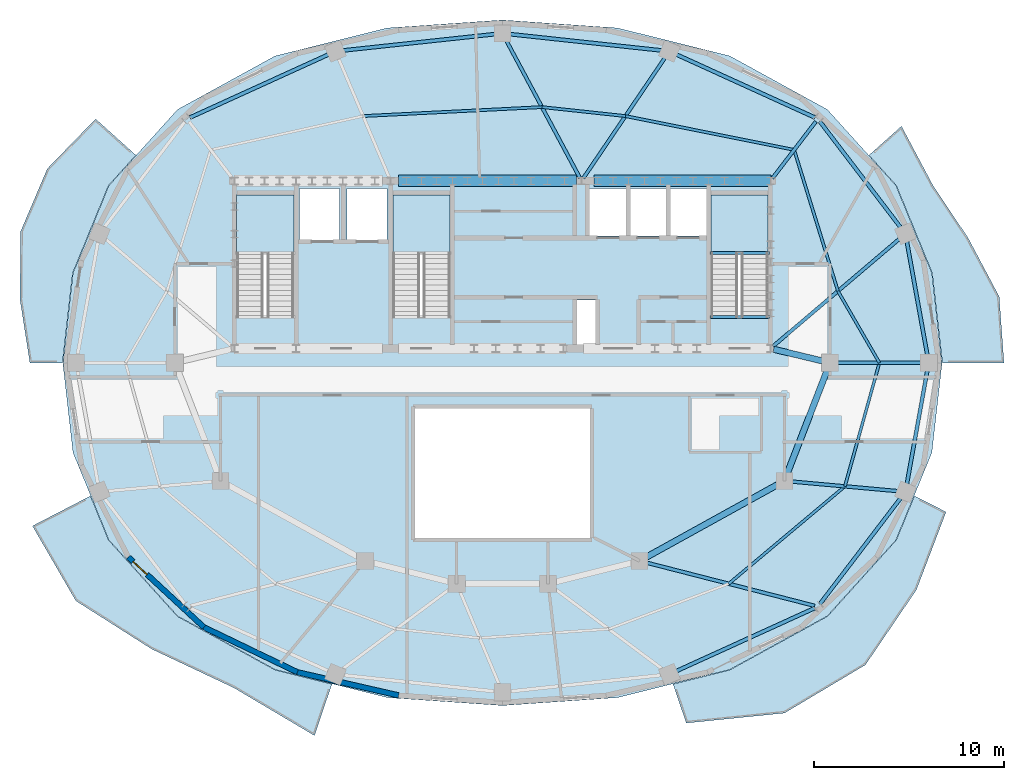
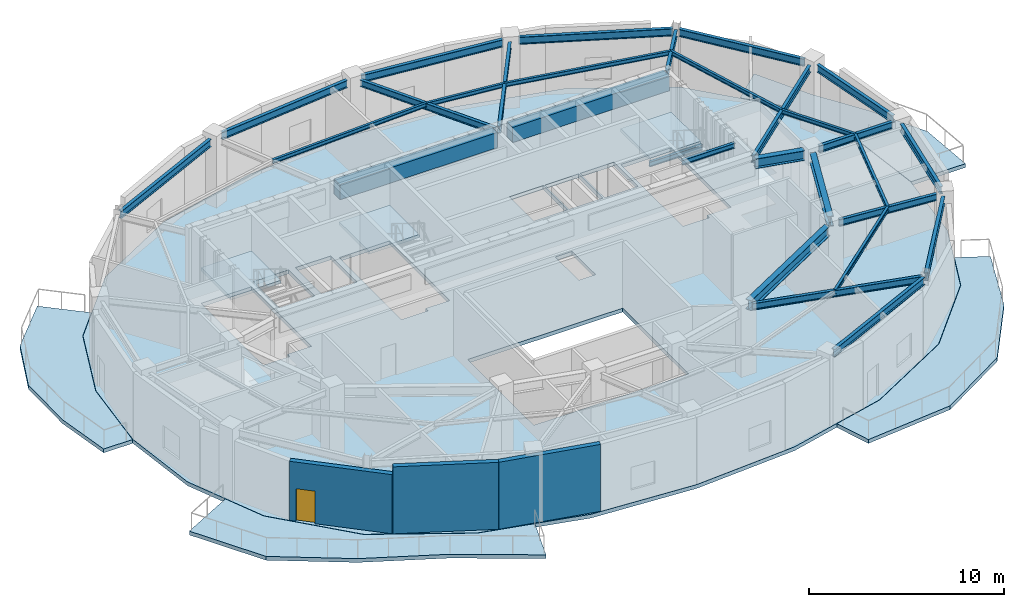
# One storey, part 2 of 9: 30 beams, 8 slabs, 3 walls, 1 door, 1 opening, 3 elements without a shape of their own.
"""IFC4 building model written with IfcOpenShell, lengths in metres."""

import ifcopenshell
import ifcopenshell.guid

model = None  # the IFC model being written
_history = None  # IfcOwnerHistory: only IFC2X3 demands one
_inside = {}  # id of a spatial element -> (the spatial element, [elements in it])
_under = {}  # id of a project, library or spatial element -> (it, [spatial elements below it])
_declared = {}  # id of a project -> (the project, [libraries it declares])
_typed = {}  # id of a type object -> (the type object, [elements of that type])
_made_of = {}  # id of a material, layer set ... -> (it, [elements and type objects made of it])


def new_model(schema):
    """Start an empty IFC model of exactly this schema.

    Asked for "IFC4X3", IfcOpenShell would pick the latest addendum, in which some entities
    have other attributes; the version numbers below select the first issue.
    IFC2X3 requires an IfcOwnerHistory on every rooted entity: one is made here for all.
    """
    global model, _history
    if schema == "IFC4X3":
        model = ifcopenshell.file(schema_version=(4, 3, 0, 0))
    else:
        model = ifcopenshell.file(schema=schema)
    _inside.clear()
    _under.clear()
    _declared.clear()
    _typed.clear()
    _made_of.clear()
    _history = None
    if model.schema == "IFC2X3":
        org = make("IfcOrganization", Name="unknown")
        user = make(
            "IfcPersonAndOrganization",
            ThePerson=make("IfcPerson", FamilyName="unknown"),
            TheOrganization=org,
        )
        app = make(
            "IfcApplication",
            ApplicationDeveloper=org,
            Version="unknown",
            ApplicationFullName="unknown",
            ApplicationIdentifier="unknown",
        )
        _history = make(
            "IfcOwnerHistory",
            OwningUser=user,
            OwningApplication=app,
            ChangeAction="ADDED",
            CreationDate=0,
        )
    return model


def make(cls, **values):
    """One entity of the class cls with the attributes given. An attribute that is None is left unset."""
    return model.create_entity(
        cls, **{name: value for name, value in values.items() if value is not None}
    )


def rooted(cls, **values):
    """An entity with a GlobalId (a new one), such as an element, a storey or a relation."""
    return make(cls, GlobalId=ifcopenshell.guid.new(), OwnerHistory=_history, **values)


def si_unit(unit_type, name, prefix=None):
    """IfcSIUnit, for example si_unit("LENGTHUNIT", "METRE", prefix="MILLI")."""
    return make("IfcSIUnit", UnitType=unit_type, Prefix=prefix, Name=name)


def assignment(units):
    """IfcUnitAssignment: the units of a project."""
    return None if units is None else make("IfcUnitAssignment", Units=units)


def point(xyz):
    """IfcCartesianPoint."""
    return None if xyz is None else make("IfcCartesianPoint", Coordinates=xyz)


def direction(xyz):
    """IfcDirection."""
    return None if xyz is None else make("IfcDirection", DirectionRatios=xyz)


def frame(location, z_axis=None, x_axis=None):
    """IfcAxis2Placement3D, a coordinate frame: its origin and axes. An axis left out is left unset."""
    return make(
        "IfcAxis2Placement3D",
        Location=point(location),
        Axis=direction(z_axis),
        RefDirection=direction(x_axis),
    )


def frame_2d(location, x_axis=None):
    """IfcAxis2Placement2D, a coordinate frame in the plane: its origin and x axis."""
    return make(
        "IfcAxis2Placement2D", Location=point(location), RefDirection=direction(x_axis)
    )


def origin():
    """The frame at (0, 0, 0) with its axes left unset."""
    return frame((0.0, 0.0, 0.0))


def origin_2d():
    """The frame at (0, 0) in the plane with its x axis left unset."""
    return frame_2d((0.0, 0.0))


def place(relative_to, where):
    """IfcLocalPlacement: puts the frame where relative to a parent placement (None: the world)."""
    return make(
        "IfcLocalPlacement", PlacementRelTo=relative_to, RelativePlacement=where
    )


def context(
    kind, dimensions, precision=None, world=None, true_north=None, identifier=None
):
    """IfcGeometricRepresentationContext, for example the 3D "Model" context."""
    return make(
        "IfcGeometricRepresentationContext",
        ContextIdentifier=identifier,
        ContextType=kind,
        CoordinateSpaceDimension=dimensions,
        Precision=precision,
        WorldCoordinateSystem=world,
        TrueNorth=true_north,
    )


def subcontext(parent, identifier, kind, view, scale=None):
    """IfcGeometricRepresentationSubContext, for example "Body" below "Model"."""
    return make(
        "IfcGeometricRepresentationSubContext",
        ContextIdentifier=identifier,
        ContextType=kind,
        ParentContext=parent,
        TargetScale=scale,
        TargetView=view,
    )


def project(units=None, contexts=None):
    """IfcProject with its units and contexts."""
    return rooted(
        "IfcProject",
        Name="project",
        RepresentationContexts=contexts,
        UnitsInContext=assignment(units),
    )


def spatial(cls, under=None, at=None, **own):
    """A site, building, storey or space (cls), placed at a placement, below another one or the project."""
    s = rooted(cls, ObjectPlacement=at, **own)
    if under is not None:
        _under.setdefault(under.id(), (under, []))[1].append(s)
    return s


def polyline(points):
    """IfcPolyline through the points."""
    return make("IfcPolyline", Points=[point(p) for p in points])


def profile(cls, at=None, kind="AREA", **sizes):
    """A parametric profile (cls). Its sizes go by their IFC names, for example OverallWidth=200.0."""
    return make(cls, ProfileType=kind, Position=at, **sizes)


def rectangle(**sizes):
    """IfcRectangleProfileDef."""
    return profile("IfcRectangleProfileDef", **sizes)


def i_section(**sizes):
    """IfcIShapeProfileDef."""
    return profile("IfcIShapeProfileDef", **sizes)


def outline(outer, holes=None, kind="AREA"):
    """IfcArbitraryClosedProfileDef: a profile drawn as a closed curve; with holes, ...WithVoids."""
    if holes is None:
        return make("IfcArbitraryClosedProfileDef", ProfileType=kind, OuterCurve=outer)
    return make(
        "IfcArbitraryProfileDefWithVoids",
        ProfileType=kind,
        OuterCurve=outer,
        InnerCurves=holes,
    )


def extrude(swept, where, along, depth):
    """IfcExtrudedAreaSolid: the profile swept, set in the frame where, extruded along a direction by depth."""
    return make(
        "IfcExtrudedAreaSolid",
        SweptArea=swept,
        Position=where,
        ExtrudedDirection=direction(along),
        Depth=depth,
    )


def shape(context_of_items, identifier, shape_type, items):
    """IfcShapeRepresentation: the items that make up one representation, for example the "Body"."""
    return make(
        "IfcShapeRepresentation",
        ContextOfItems=context_of_items,
        RepresentationIdentifier=identifier,
        RepresentationType=shape_type,
        Items=items,
    )


def material(Name=None, Category=None):
    """IfcMaterial."""
    return make("IfcMaterial", Name=Name, Category=Category)


def layer(
    of_material, thickness, ventilated=None, Name=None, Category=None, Priority=None
):
    """IfcMaterialLayer: one layer of a wall or slab, of a material (None: an air gap)."""
    return make(
        "IfcMaterialLayer",
        Material=of_material,
        LayerThickness=thickness,
        IsVentilated=ventilated,
        Name=Name,
        Category=Category,
        Priority=Priority,
    )


def layer_set(layers, Name=None):
    """IfcMaterialLayerSet."""
    return make("IfcMaterialLayerSet", MaterialLayers=layers, LayerSetName=Name)


def material_profile(
    of_material, cross_section, Name=None, Category=None, Priority=None
):
    """IfcMaterialProfile: a cross section and its material."""
    return make(
        "IfcMaterialProfile",
        Name=Name,
        Material=of_material,
        Profile=cross_section,
        Priority=Priority,
        Category=Category,
    )


def profile_set(profiles, Name=None, composite=None):
    """IfcMaterialProfileSet."""
    return make(
        "IfcMaterialProfileSet",
        Name=Name,
        MaterialProfiles=profiles,
        CompositeProfile=composite,
    )


def made_of(thing, what):
    """Note that an element or type object is made of a material, layer set ...; save() writes the relation."""
    if what is not None:
        _made_of.setdefault(what.id(), (what, []))[1].append(thing)
    return thing


def type_object(cls, material=None, **own):
    """A type object (cls), such as IfcWallType, which elements share."""
    return made_of(rooted(cls, **own), material)


def element(
    cls,
    number,
    at=None,
    inside=None,
    cuts=None,
    type_object=None,
    material=None,
    context=None,
    identifier="Body",
    shape_type=None,
    held_by="IfcProductDefinitionShape",
    body=None,
    shapes=None,
    **own,
):
    """One element of the class cls, such as IfcWall. Its Tag is "e" and its number.

    at: its placement. inside: the storey or other place that contains it. cuts: it is an
    opening in that element (IfcRelVoidsElement). A single representation is given by context,
    identifier, shape_type and body (its items); several are given by shapes. held_by: the class
    of the entity that holds the representations. save() writes the other relations.
    """
    e = rooted(cls, Tag="e%d" % number, ObjectPlacement=at, **own)
    if body is not None:
        shapes = [shape(context, identifier, shape_type, body)]
    if shapes is not None:
        e.Representation = make(held_by, Representations=shapes)
    if inside is not None:
        _inside.setdefault(inside.id(), (inside, []))[1].append(e)
    if cuts is not None:
        rooted(
            "IfcRelVoidsElement", RelatingBuildingElement=cuts, RelatedOpeningElement=e
        )
    if type_object is not None:
        _typed.setdefault(type_object.id(), (type_object, []))[1].append(e)
    return made_of(e, material)


def fill(opening, filler):
    """IfcRelFillsElement: the door or window that sits in an opening."""
    return rooted(
        "IfcRelFillsElement",
        RelatingOpeningElement=opening,
        RelatedBuildingElement=filler,
    )


def aggregate(whole, parts):
    """IfcRelAggregates: a whole, such as a stair, and the parts it consists of."""
    return rooted("IfcRelAggregates", RelatingObject=whole, RelatedObjects=parts)


def save(model, path):
    """Write the relations noted so far, then the file.

    IfcRelAggregates (storeys below a building ...), IfcRelContainedInSpatialStructure (elements
    in a storey), IfcRelDefinesByType, IfcRelAssociatesMaterial and IfcRelDeclares: one each for
    every whole, place, type object, material and project.
    """
    for whole, parts in _under.values():
        aggregate(whole, parts)
    for where, things in _inside.values():
        rooted(
            "IfcRelContainedInSpatialStructure",
            RelatedElements=things,
            RelatingStructure=where,
        )
    for kind, things in _typed.values():
        rooted("IfcRelDefinesByType", RelatedObjects=things, RelatingType=kind)
    for what, things in _made_of.values():
        rooted("IfcRelAssociatesMaterial", RelatedObjects=things, RelatingMaterial=what)
    for by, libraries in _declared.values():
        rooted("IfcRelDeclares", RelatingContext=by, RelatedDefinitions=libraries)
    model.write(path)


model = new_model("IFC4")

# Units and contexts
model_context = context("Model", 3, precision=1e-05, world=origin(), true_north=direction((0.0, 1.0)))
body_context = subcontext(model_context, "Body", "Model", "MODEL_VIEW")
ifc_project = project(units=[si_unit("LENGTHUNIT", "METRE"), si_unit("AREAUNIT", "SQUARE_METRE"), si_unit("VOLUMEUNIT", "CUBIC_METRE"), si_unit("PLANEANGLEUNIT", "RADIAN"), si_unit("MASSUNIT", "GRAM", prefix="KILO")], contexts=[model_context])

# Site, building, storey
site_placement = place(None, origin())
site = spatial("IfcSite", under=ifc_project, at=site_placement, CompositionType="ELEMENT")
building_placement = place(site_placement, origin())
building = spatial("IfcBuilding", under=site, at=building_placement, Name="Haldorwick Loom Tower", CompositionType="ELEMENT")
storey_placement = place(building_placement, frame((0.0, 0.0, 282.0)))
storey = spatial("IfcBuildingStorey", under=building, at=storey_placement, Name="L76", CompositionType="ELEMENT", Elevation=282.0)

# Beams
ifc_material_1 = material(Name="Concrete C50 (50 MPa)", Category="concrete")
ifc_material_profile_1 = material_profile(ifc_material_1, rectangle(XDim=0.60009765625, YDim=0.949951171875, at=origin_2d()), Name="RC600X950", Category="concrete")
ifc_profile_set_1 = profile_set([ifc_material_profile_1], Name="Concrete C50 (50 MPa)")
beam_type_1 = type_object("IfcBeamType", Name="STR-BM-CB950", PredefinedType="LINTEL", material=ifc_profile_set_1)
beam_1_placement = place(storey_placement, frame((30.550048828125, 35.550048828125, 3.72509765625), z_axis=(1.0, 0.0, 0.0), x_axis=(0.0, 1.0, 0.0)))
element("IfcBeam", 1, at=beam_1_placement, inside=storey, type_object=beam_type_1, Name="L76 Core Coupling Beam CB-N2", PredefinedType="LINTEL", context=body_context, shape_type="SweptSolid", body=[
    extrude(rectangle(XDim=0.60009765625, YDim=0.949951171875, at=origin_2d()), origin(), (0.0, 0.0, 1.0), 9.349853515625),
])
beam_2_placement = place(storey_placement, frame((40.800048828125, 35.550048828125, 3.72509765625), z_axis=(1.0, 0.0, 0.0), x_axis=(0.0, 1.0, 0.0)))
element("IfcBeam", 2, at=beam_2_placement, inside=storey, type_object=beam_type_1, Name="L76 Core Coupling Beam CB-N3", PredefinedType="LINTEL", context=body_context, shape_type="SweptSolid", body=[
    extrude(rectangle(XDim=0.60009765625, YDim=0.949951171875, at=origin_2d()), origin(), (0.0, 0.0, 1.0), 9.300048828125),
])
ifc_material_2 = material(Name="Steel CSA G40.21 350W", Category="steel")
ifc_material_profile_2 = material_profile(ifc_material_2, i_section(OverallWidth=0.14599609375, OverallDepth=0.258056640625, WebThickness=0.006103515625, FlangeThickness=0.009033203125, at=origin_2d()), Name="W250X33", Category="steel")
ifc_profile_set_2 = profile_set([ifc_material_profile_2], Name="Steel CSA G40.21 350W")
beam_type_2 = type_object("IfcBeamType", Name="STR-BM-J250", PredefinedType="JOIST", material=ifc_profile_set_2)
beam_3_placement = place(storey_placement, frame((55.790283203125, 26.0, 4.071044921875), z_axis=(-0.50089233553, 0.865509600297, 0.0), x_axis=(-0.865509600297, -0.50089233553, 0.0)))
element("IfcBeam", 3, at=beam_3_placement, inside=storey, type_object=beam_type_2, Name="L76 Mid-Bay Secondary Joist 1", PredefinedType="JOIST", context=body_context, shape_type="SweptSolid", body=[
    extrude(i_section(OverallWidth=0.14599609375, OverallDepth=0.258056640625, WebThickness=0.006103515625, FlangeThickness=0.009033203125, at=origin_2d()), origin(), (0.0, 0.0, 1.0), 4.34619140625),
])
beam_4_placement = place(storey_placement, frame((53.61328125, 29.76171875, 4.071044921875), z_axis=(-0.296087580312, 0.955160795251, 0.0), x_axis=(-0.955160795251, -0.296087580312, 0.0)))
element("IfcBeam", 4, at=beam_4_placement, inside=storey, type_object=beam_type_2, Name="L76 Mid-Bay Secondary Joist 2", PredefinedType="JOIST", context=body_context, shape_type="SweptSolid", body=[
    extrude(i_section(OverallWidth=0.14599609375, OverallDepth=0.258056640625, WebThickness=0.006103515625, FlangeThickness=0.009033203125, at=origin_2d()), origin(), (0.0, 0.0, 1.0), 7.762451171875),
])
beam_5_placement = place(storey_placement, frame((51.31494140625, 37.176025390625, 4.071044921875), z_axis=(-0.980500562343, 0.196516277302, 0.0), x_axis=(-0.196516277302, -0.980500562343, 0.0)))
element("IfcBeam", 5, at=beam_5_placement, inside=storey, type_object=beam_type_2, Name="L76 Mid-Bay Secondary Joist 3", PredefinedType="JOIST", context=body_context, shape_type="SweptSolid", body=[
    extrude(i_section(OverallWidth=0.14599609375, OverallDepth=0.258056640625, WebThickness=0.006103515625, FlangeThickness=0.009033203125, at=origin_2d()), origin(), (0.0, 0.0, 1.0), 9.034423828125),
])
beam_6_placement = place(storey_placement, frame((42.456787109375, 38.951416015625, 4.071044921875), z_axis=(-0.994268003688, 0.106916494714, 0.0), x_axis=(-0.106916494714, -0.994268003688, 0.0)))
element("IfcBeam", 6, at=beam_6_placement, inside=storey, type_object=beam_type_2, Name="L76 Mid-Bay Secondary Joist 4", PredefinedType="JOIST", context=body_context, shape_type="SweptSolid", body=[
    extrude(i_section(OverallWidth=0.14599609375, OverallDepth=0.258056640625, WebThickness=0.006103515625, FlangeThickness=0.009033203125, at=origin_2d()), origin(), (0.0, 0.0, 1.0), 4.406982421875),
])
beam_7_placement = place(storey_placement, frame((38.074951171875, 39.422607421875, 4.071044921875), z_axis=(-0.998743777835, -0.050108544536, 0.0), x_axis=(0.050108544536, -0.998743777835, 0.0)))
element("IfcBeam", 7, at=beam_7_placement, inside=storey, type_object=beam_type_2, Name="L76 Mid-Bay Secondary Joist 5", PredefinedType="JOIST", context=body_context, shape_type="SweptSolid", body=[
    extrude(i_section(OverallWidth=0.14599609375, OverallDepth=0.258056640625, WebThickness=0.006103515625, FlangeThickness=0.009033203125, at=origin_2d()), origin(), (0.0, 0.0, 1.0), 9.4033203125),
])
beam_8_placement = place(storey_placement, frame((47.8798828125, 14.39892578125, 4.071044921875), z_axis=(0.766236362394, 0.642558819833, 0.0), x_axis=(-0.642558819833, 0.766236362394, 0.0)))
element("IfcBeam", 8, at=beam_8_placement, inside=storey, type_object=beam_type_2, Name="L76 Mid-Bay Secondary Joist 15", PredefinedType="JOIST", context=body_context, shape_type="SweptSolid", body=[
    extrude(i_section(OverallWidth=0.14599609375, OverallDepth=0.258056640625, WebThickness=0.006103515625, FlangeThickness=0.009033203125, at=origin_2d()), origin(), (0.0, 0.0, 1.0), 7.959228515625),
])
beam_9_placement = place(storey_placement, frame((53.978515625, 19.51318359375, 4.071044921875), z_axis=(0.269004652199, 0.963138877367, 0.0), x_axis=(-0.963138877367, 0.269004652199, 0.0)))
element("IfcBeam", 9, at=beam_9_placement, inside=storey, type_object=beam_type_2, Name="L76 Mid-Bay Secondary Joist 16", PredefinedType="JOIST", context=body_context, shape_type="SweptSolid", body=[
    extrude(i_section(OverallWidth=0.14599609375, OverallDepth=0.258056640625, WebThickness=0.006103515625, FlangeThickness=0.009033203125, at=origin_2d()), origin(), (0.0, 0.0, 1.0), 6.735107421875),
])
ifc_material_profile_3 = material_profile(ifc_material_2, i_section(OverallWidth=0.179931640625, OverallDepth=0.4130859375, WebThickness=0.009765625, FlangeThickness=0.01611328125, at=origin_2d()), Name="W410X74", Category="steel")
ifc_profile_set_3 = profile_set([ifc_material_profile_3], Name="Steel CSA G40.21 350W")
beam_type_3 = type_object("IfcBeamType", Name="STR-BM-J410", PredefinedType="JOIST", material=ifc_profile_set_3)
beam_10_placement = place(storey_placement, frame((53.625, 26.0, 3.993408203125), z_axis=(1.0, 0.0, 0.0), x_axis=(0.0, 1.0, 0.0)))
element("IfcBeam", 10, at=beam_10_placement, inside=storey, type_object=beam_type_3, Name="L76 Radial Floor Girder 1", PredefinedType="JOIST", context=body_context, shape_type="SweptSolid", body=[
    extrude(i_section(OverallWidth=0.179931640625, OverallDepth=0.4130859375, WebThickness=0.009765625, FlangeThickness=0.01611328125, at=origin_2d()), origin(), (0.0, 0.0, 1.0), 4.330810546875),
])
beam_11_placement = place(storey_placement, frame((50.20068359375, 26.861083984375, 3.993408203125), z_axis=(0.761954542494, 0.647630508216, 0.0), x_axis=(-0.647630508216, 0.761954542494, 0.0)))
element("IfcBeam", 11, at=beam_11_placement, inside=storey, type_object=beam_type_3, Name="L76 Radial Floor Girder 2", PredefinedType="JOIST", context=body_context, shape_type="SweptSolid", body=[
    extrude(i_section(OverallWidth=0.179931640625, OverallDepth=0.4130859375, WebThickness=0.009765625, FlangeThickness=0.01611328125, at=origin_2d()), origin(), (0.0, 0.0, 1.0), 8.704345703125),
])
beam_12_placement = place(storey_placement, frame((50.17431640625, 35.686279296875, 3.993408203125), z_axis=(0.607923320425, 0.793995740847, 0.0), x_axis=(-0.793995740847, 0.607923320425, 0.0)))
element("IfcBeam", 12, at=beam_12_placement, inside=storey, type_object=beam_type_3, Name="L76 Radial Floor Girder 3", PredefinedType="JOIST", context=body_context, shape_type="SweptSolid", body=[
    extrude(i_section(OverallWidth=0.179931640625, OverallDepth=0.4130859375, WebThickness=0.009765625, FlangeThickness=0.01611328125, at=origin_2d()), origin(), (0.0, 0.0, 1.0), 3.75244140625),
])
beam_13_placement = place(storey_placement, frame((40.246337890625, 35.69189453125, 3.993408203125), z_axis=(0.561268006634, 0.827634112835, 0.0), x_axis=(-0.827634112835, 0.561268006634, 0.0)))
element("IfcBeam", 13, at=beam_13_placement, inside=storey, type_object=beam_type_3, Name="L76 Radial Floor Girder 4", PredefinedType="JOIST", context=body_context, shape_type="SweptSolid", body=[
    extrude(i_section(OverallWidth=0.179931640625, OverallDepth=0.4130859375, WebThickness=0.009765625, FlangeThickness=0.01611328125, at=origin_2d()), origin(), (0.0, 0.0, 1.0), 7.623046875),
])
beam_14_placement = place(storey_placement, frame((40.069091796875, 35.701171875, 3.993408203125), z_axis=(-0.472299991388, 0.881437869696, 0.0), x_axis=(-0.881437869696, -0.472299991388, 0.0)))
element("IfcBeam", 14, at=beam_14_placement, inside=storey, type_object=beam_type_3, Name="L76 Radial Floor Girder 5", PredefinedType="JOIST", context=body_context, shape_type="SweptSolid", body=[
    extrude(i_section(OverallWidth=0.179931640625, OverallDepth=0.4130859375, WebThickness=0.009765625, FlangeThickness=0.01611328125, at=origin_2d()), origin(), (0.0, 0.0, 1.0), 8.190673828125),
])
beam_15_placement = place(storey_placement, frame((43.61181640625, 15.494384765625, 3.993408203125), z_axis=(0.968607693966, -0.248594318498, 0.0), x_axis=(0.248594318498, 0.968607693966, 0.0)))
element("IfcBeam", 15, at=beam_15_placement, inside=storey, type_object=beam_type_3, Name="L76 Radial Floor Girder 15", PredefinedType="JOIST", context=body_context, shape_type="SweptSolid", body=[
    extrude(i_section(OverallWidth=0.179931640625, OverallDepth=0.4130859375, WebThickness=0.009765625, FlangeThickness=0.01611328125, at=origin_2d()), origin(), (0.0, 0.0, 1.0), 9.066650390625),
])
beam_16_placement = place(storey_placement, frame((51.223388671875, 19.76171875, 3.993408203125), z_axis=(0.995955545461, -0.08984737873, 0.0), x_axis=(0.08984737873, 0.995955545461, 0.0)))
element("IfcBeam", 16, at=beam_16_placement, inside=storey, type_object=beam_type_3, Name="L76 Radial Floor Girder 16", PredefinedType="JOIST", context=body_context, shape_type="SweptSolid", body=[
    extrude(i_section(OverallWidth=0.179931640625, OverallDepth=0.4130859375, WebThickness=0.009765625, FlangeThickness=0.01611328125, at=origin_2d()), origin(), (0.0, 0.0, 1.0), 5.532470703125),
])
ifc_material_profile_4 = material_profile(ifc_material_2, i_section(OverallWidth=0.193115234375, OverallDepth=0.466064453125, WebThickness=0.011474609375, FlangeThickness=0.01904296875, at=origin_2d()), Name="W460X97", Category="steel")
ifc_profile_set_4 = profile_set([ifc_material_profile_4], Name="Steel CSA G40.21 350W")
beam_type_4 = type_object("IfcBeamType", Name="STR-BM-SP460", PredefinedType="SPANDREL", material=ifc_profile_set_4)
beam_17_placement = place(storey_placement, frame((58.30517578125, 26.418212890625, 3.967041015625), z_axis=(-0.177809893073, 0.984064856565, 0.0), x_axis=(-0.984064856565, -0.177809893073, 0.0)))
element("IfcBeam", 17, at=beam_17_placement, inside=storey, type_object=beam_type_4, Name="L76 Perimeter Spandrel 1", PredefinedType="SPANDREL", context=body_context, shape_type="SweptSolid", body=[
    extrude(i_section(OverallWidth=0.193115234375, OverallDepth=0.466064453125, WebThickness=0.011474609375, FlangeThickness=0.01904296875, at=origin_2d()), origin(), (0.0, 0.0, 1.0), 6.033203125),
])
beam_18_placement = place(storey_placement, frame((56.899169921875, 33.111572265625, 3.967041015625), z_axis=(-0.606384376075, 0.795171672315, 0.0), x_axis=(-0.795171672315, -0.606384376075, 0.0)))
element("IfcBeam", 18, at=beam_18_placement, inside=storey, type_object=beam_type_4, Name="L76 Perimeter Spandrel 2", PredefinedType="SPANDREL", context=body_context, shape_type="SweptSolid", body=[
    extrude(i_section(OverallWidth=0.193115234375, OverallDepth=0.466064453125, WebThickness=0.011474609375, FlangeThickness=0.01904296875, at=origin_2d()), origin(), (0.0, 0.0, 1.0), 6.984619140625),
])
beam_19_placement = place(storey_placement, frame((52.40380859375, 38.873046875, 3.967041015625), z_axis=(-0.910060964072, 0.414474416185, 0.0), x_axis=(-0.414474416185, -0.910060964072, 0.0)))
element("IfcBeam", 19, at=beam_19_placement, inside=storey, type_object=beam_type_4, Name="L76 Perimeter Spandrel 3", PredefinedType="SPANDREL", context=body_context, shape_type="SweptSolid", body=[
    extrude(i_section(OverallWidth=0.193115234375, OverallDepth=0.466064453125, WebThickness=0.011474609375, FlangeThickness=0.01904296875, at=origin_2d()), origin(), (0.0, 0.0, 1.0), 7.97021484375),
])
for number, where, z_axis, x_axis, name in (
    (20, (44.3408203125, 42.398193359375, 3.967041015625), (-0.994266744602, 0.106928202916, 0.0), (-0.106928202916, -0.994266744602, 0.0), "L76 Perimeter Spandrel 4"),
    (21, (35.577392578125, 43.249755859375, 3.967041015625), (-0.994266744602, -0.106928202916, 0.0), (0.106928202916, -0.994266744602, 0.0), "L76 Perimeter Spandrel 5"),
):
    element("IfcBeam", number, at=place(storey_placement, frame(where, z_axis=z_axis, x_axis=x_axis)), inside=storey, type_object=beam_type_4, Name=name, PredefinedType="SPANDREL", context=body_context, shape_type="SweptSolid", body=[
        extrude(i_section(OverallWidth=0.193115234375, OverallDepth=0.466064453125, WebThickness=0.011474609375, FlangeThickness=0.01904296875, at=origin_2d()), origin(), (0.0, 0.0, 1.0), 7.9638671875),
    ])
for number, where, z_axis, x_axis, name in (
    (22, (26.849609375, 42.176513671875, 3.967041015625), (-0.910060964072, -0.414474416185, 0.0), (0.414474416185, -0.910060964072, 0.0), "L76 Perimeter Spandrel 6"),
    (23, (45.150390625, 9.823486328125, 3.967041015625), (0.910060964072, 0.414474416185, 0.0), (-0.414474416185, 0.910060964072, 0.0), "L76 Perimeter Spandrel 14"),
):
    element("IfcBeam", number, at=place(storey_placement, frame(where, z_axis=z_axis, x_axis=x_axis)), inside=storey, type_object=beam_type_4, Name=name, PredefinedType="SPANDREL", context=body_context, shape_type="SweptSolid", body=[
        extrude(i_section(OverallWidth=0.193115234375, OverallDepth=0.466064453125, WebThickness=0.011474609375, FlangeThickness=0.01904296875, at=origin_2d()), origin(), (0.0, 0.0, 1.0), 7.97021484375),
    ])
beam_20_placement = place(storey_placement, frame((52.663818359375, 13.33447265625, 3.967041015625), z_axis=(0.606384376075, 0.795171672315, 0.0), x_axis=(-0.795171672315, 0.606384376075, 0.0)))
element("IfcBeam", 24, at=beam_20_placement, inside=storey, type_object=beam_type_4, Name="L76 Perimeter Spandrel 15", PredefinedType="SPANDREL", context=body_context, shape_type="SweptSolid", body=[
    extrude(i_section(OverallWidth=0.193115234375, OverallDepth=0.466064453125, WebThickness=0.011474609375, FlangeThickness=0.01904296875, at=origin_2d()), origin(), (0.0, 0.0, 1.0), 6.984619140625),
])
beam_21_placement = place(storey_placement, frame((57.232421875, 19.644775390625, 3.967041015625), z_axis=(0.177809893073, 0.984064856565, 0.0), x_axis=(-0.984064856565, 0.177809893073, 0.0)))
element("IfcBeam", 25, at=beam_21_placement, inside=storey, type_object=beam_type_4, Name="L76 Perimeter Spandrel 16", PredefinedType="SPANDREL", context=body_context, shape_type="SweptSolid", body=[
    extrude(i_section(OverallWidth=0.193115234375, OverallDepth=0.466064453125, WebThickness=0.011474609375, FlangeThickness=0.01904296875, at=origin_2d()), origin(), (0.0, 0.0, 1.0), 6.033203125),
])
ifc_material_profile_5 = material_profile(ifc_material_2, i_section(OverallWidth=0.166015625, OverallDepth=0.31298828125, WebThickness=0.006591796875, FlangeThickness=0.01123046875, at=origin_2d()), Name="W310X45", Category="steel")
ifc_profile_set_5 = profile_set([ifc_material_profile_5], Name="Steel CSA G40.21 350W")
beam_type_5 = type_object("IfcBeamType", Name="STR-BM-STRM", PredefinedType="BEAM", material=ifc_profile_set_5)
for number, where, z_axis, x_axis, name in (
    (26, (46.889892578125, 28.39990234375, 4.04345703125), (1.0, 0.0, 0.0), (0.0, 1.0, 0.0), "L76 Stair ST-02 Landing Edge Trimmer"),
    (27, (46.889892578125, 31.760009765625, 1.8935546875), (1.0, 0.0, 0.0), (0.0, 1.0, 0.0), "L76 Stair ST-02 Half-Landing Trimmer 1"),
):
    element("IfcBeam", number, at=place(storey_placement, frame(where, z_axis=z_axis, x_axis=x_axis)), inside=storey, type_object=beam_type_5, Name=name, PredefinedType="BEAM", context=body_context, shape_type="SweptSolid", body=[
        extrude(i_section(OverallWidth=0.166015625, OverallDepth=0.31298828125, WebThickness=0.006591796875, FlangeThickness=0.01123046875, at=origin_2d()), origin(), (0.0, 0.0, 1.0), 3.1201171875),
    ])
ifc_material_profile_6 = material_profile(ifc_material_2, i_section(OverallWidth=0.324951171875, OverallDepth=0.615966796875, WebThickness=0.013916015625, FlangeThickness=0.021484375, at=origin_2d()), Name="W610X174", Category="steel")
ifc_profile_set_6 = profile_set([ifc_material_profile_6], Name="Steel CSA G40.21 350W")
beam_type_6 = type_object("IfcBeamType", Name="STR-BM-W610A", PredefinedType="BEAM", material=ifc_profile_set_6)
beam_22_placement = place(storey_placement, frame((50.23681640625, 26.7099609375, 3.89208984375), z_axis=(0.972483573168, -0.232971457302, 0.0), x_axis=(0.232971457302, 0.972483573168, 0.0)))
element("IfcBeam", 28, at=beam_22_placement, inside=storey, type_object=beam_type_6, Name="L76 Inner Ring Girder 1", PredefinedType="BEAM", context=body_context, shape_type="SweptSolid", body=[
    extrude(i_section(OverallWidth=0.324951171875, OverallDepth=0.615966796875, WebThickness=0.013916015625, FlangeThickness=0.021484375, at=origin_2d()), origin(), (0.0, 0.0, 1.0), 2.6220703125),
])
beam_23_placement = place(storey_placement, frame((53.046630859375, 25.603759765625, 3.89208984375), z_axis=(-0.361001189766, -0.932565354808, 0.0), x_axis=(0.932565354808, -0.361001189766, 0.0)))
element("IfcBeam", 29, at=beam_23_placement, inside=storey, type_object=beam_type_6, Name="L76 Inner Ring Girder 2", PredefinedType="BEAM", context=body_context, shape_type="SweptSolid", body=[
    extrude(i_section(OverallWidth=0.324951171875, OverallDepth=0.615966796875, WebThickness=0.013916015625, FlangeThickness=0.021484375, at=origin_2d()), origin(), (0.0, 0.0, 1.0), 5.798583984375),
])
beam_24_placement = place(storey_placement, frame((50.427978515625, 19.594482421875, 3.89208984375), z_axis=(-0.875241535439, -0.48368611169, 0.0), x_axis=(0.48368611169, -0.875241535439, 0.0)))
element("IfcBeam", 30, at=beam_24_placement, inside=storey, type_object=beam_type_6, Name="L76 Inner Ring Girder 3", PredefinedType="BEAM", context=body_context, shape_type="SweptSolid", body=[
    extrude(i_section(OverallWidth=0.324951171875, OverallDepth=0.615966796875, WebThickness=0.013916015625, FlangeThickness=0.021484375, at=origin_2d()), origin(), (0.0, 0.0, 1.0), 7.833251953125),
])

# Slabs
ifc_material_3 = material(Name="Concrete C40 (40 MPa)", Category="concrete")
ifc_layer_1 = layer(ifc_material_3, 0.239990234375, Name="Concrete C40 (40 MPa)", Category="concrete")
ifc_layer_set_1 = layer_set([ifc_layer_1], Name="Concrete C40 (40 MPa)")
slab_type_1 = type_object("IfcSlabType", Name="STR-SLB-BAL240", PredefinedType="FLOOR", material=ifc_layer_set_1)
slab_1_placement = place(storey_placement, frame((0.0, 0.0, -0.239990234375)))
element("IfcSlab", 31, at=slab_1_placement, inside=storey, type_object=slab_type_1, Name="L76 Sinusoidal Balcony Terrace BAL_SE", PredefinedType="FLOOR", context=body_context, shape_type="SweptSolid", body=[
    extrude(outline(polyline([(57.62744140625, 19.011962890625), (56.677001953125, 16.693115234375), (56.67626953125, 16.69189453125), (56.67578125, 16.69091796875), (56.675048828125, 16.689697265625), (56.674072265625, 16.688720703125), (53.06591796875, 12.69287109375), (53.064697265625, 12.69189453125), (53.0634765625, 12.690673828125), (53.06201171875, 12.68994140625), (47.93701171875, 9.876708984375), (47.935791015625, 9.876220703125), (47.934814453125, 9.87548828125), (47.933349609375, 9.875244140625), (44.956787109375, 9.133544921875), (45.64990234375, 7.0849609375), (50.80224609375, 7.60888671875), (55.05322265625, 10.139892578125), (57.72900390625, 14.074951171875), (59.289794921875, 18.1689453125), (57.62744140625, 19.011962890625)])), origin(), (0.0, 0.0, 1.0), 0.239990234375),
])
slab_2_placement = place(storey_placement, frame((0.0, 0.0, -0.239990234375)))
element("IfcSlab", 32, at=slab_2_placement, inside=storey, type_object=slab_type_1, Name="L76 Sinusoidal Balcony Terrace BAL_SW", PredefinedType="FLOOR", context=body_context, shape_type="SweptSolid", body=[
    extrude(outline(polyline([(27.0439453125, 9.13330078125), (24.066650390625, 9.875244140625), (24.065185546875, 9.87548828125), (24.064208984375, 9.876220703125), (24.06298828125, 9.876708984375), (18.93798828125, 12.68994140625), (18.9365234375, 12.690673828125), (18.935302734375, 12.69189453125), (18.93408203125, 12.69287109375), (15.325927734375, 16.688720703125), (15.324951171875, 16.689697265625), (15.32421875, 16.69091796875), (15.32373046875, 16.69189453125), (15.322998046875, 16.693115234375), (14.373291015625, 19.010009765625), (11.326416015625, 17.433837890625), (13.604248046875, 13.503662109375), (17.59326171875, 10.968994140625), (21.891845703125, 8.94140625), (26.137451171875, 6.427001953125), (27.0439453125, 9.13330078125)])), origin(), (0.0, 0.0, 1.0), 0.239990234375),
])
slab_3_placement = place(storey_placement, frame((0.0, 0.0, -0.239990234375)))
element("IfcSlab", 33, at=slab_3_placement, inside=storey, type_object=slab_type_1, Name="L76 Sinusoidal Balcony Terrace BAL_WNW", PredefinedType="FLOOR", context=body_context, shape_type="SweptSolid", body=[
    extrude(outline(polyline([(12.904296875, 26.0), (12.904296875, 26.001708984375), (13.43994140625, 30.711669921875), (13.440185546875, 30.712890625), (13.440673828125, 30.71435546875), (13.44091796875, 30.715576171875), (15.322998046875, 35.306884765625), (15.32373046875, 35.30810546875), (15.32421875, 35.30908203125), (15.324951171875, 35.310302734375), (15.325927734375, 35.311279296875), (16.757080078125, 36.896240234375), (14.643310546875, 38.80078125), (12.108642578125, 36.188232421875), (10.707763671875, 32.8974609375), (10.673583984375, 29.3212890625), (11.192626953125, 26.0), (12.904296875, 26.0)])), origin(), (0.0, 0.0, 1.0), 0.239990234375),
])
slab_4_placement = place(storey_placement, frame((0.0, 0.0, -0.239990234375)))
element("IfcSlab", 34, at=slab_4_placement, inside=storey, type_object=slab_type_1, Name="L76 Sinusoidal Balcony Terrace BAL_ENE", PredefinedType="FLOOR", context=body_context, shape_type="SweptSolid", body=[
    extrude(outline(polyline([(55.243408203125, 36.8955078125), (56.674072265625, 35.311279296875), (56.675048828125, 35.310302734375), (56.67578125, 35.30908203125), (56.67626953125, 35.30810546875), (56.677001953125, 35.306884765625), (58.55908203125, 30.715576171875), (58.559326171875, 30.71435546875), (58.559814453125, 30.712890625), (58.56005859375, 30.711669921875), (59.095703125, 26.001708984375), (59.095703125, 26.0), (62.330810546875, 26.0), (62.07958984375, 29.47412109375), (60.448974609375, 32.5458984375), (58.5869140625, 35.335693359375), (56.9482421875, 38.419921875), (55.243408203125, 36.8955078125)])), origin(), (0.0, 0.0, 1.0), 0.239990234375),
])

# Stair, slab
stair_type = type_object("IfcStairType", Name="STR-STR-CORE", PredefinedType="HALF_TURN_STAIR", material=ifc_material_3)
stair_1_placement = place(storey_placement, origin())
stair_1 = element("IfcStair", 35, at=stair_1_placement, inside=storey, type_object=stair_type, Name="L76 Exit Stair ST-01", PredefinedType="HALF_TURN_STAIR")
ifc_layer_2 = layer(ifc_material_3, 0.199951171875, Name="Concrete C40 (40 MPa)", Category="concrete")
ifc_layer_set_2 = layer_set([ifc_layer_2], Name="Concrete C40 (40 MPa)")
slab_type_2 = type_object("IfcSlabType", Name="STR-SLB-LAND200", PredefinedType="LANDING", material=ifc_layer_set_2)
slab_5_placement = place(storey_placement, frame((0.0, 0.0, 2.050048828125)))
slab_5 = element("IfcSlab", 36, at=slab_5_placement, type_object=slab_type_2, Name="ST-01 landing 1", PredefinedType="LANDING", context=body_context, shape_type="SweptSolid", body=[
    extrude(outline(polyline([(25.050048828125, 31.760009765625), (25.050048828125, 34.800048828125), (22.050048828125, 34.800048828125), (22.050048828125, 31.760009765625), (25.050048828125, 31.760009765625)])), origin(), (0.0, 0.0, 1.0), 0.199951171875),
])
aggregate(stair_1, [slab_5])

stair_2_placement = place(storey_placement, origin())
stair_2 = element("IfcStair", 37, at=stair_2_placement, inside=storey, type_object=stair_type, Name="L76 Exit Stair ST-02", PredefinedType="HALF_TURN_STAIR")
slab_6_placement = place(storey_placement, frame((0.0, 0.0, 2.050048828125)))
slab_6 = element("IfcSlab", 38, at=slab_6_placement, type_object=slab_type_2, Name="ST-02 landing 1", PredefinedType="LANDING", context=body_context, shape_type="SweptSolid", body=[
    extrude(outline(polyline([(49.949951171875, 31.760009765625), (49.949951171875, 34.800048828125), (46.949951171875, 34.800048828125), (46.949951171875, 31.760009765625), (49.949951171875, 31.760009765625)])), origin(), (0.0, 0.0, 1.0), 0.199951171875),
])
aggregate(stair_2, [slab_6])

stair_3_placement = place(storey_placement, origin())
stair_3 = element("IfcStair", 39, at=stair_3_placement, inside=storey, type_object=stair_type, Name="L76 Exit Stair ST-03", PredefinedType="HALF_TURN_STAIR")
slab_7_placement = place(storey_placement, frame((0.0, 0.0, 2.050048828125)))
slab_7 = element("IfcSlab", 40, at=slab_7_placement, type_object=slab_type_2, Name="ST-03 landing 1", PredefinedType="LANDING", context=body_context, shape_type="SweptSolid", body=[
    extrude(outline(polyline([(33.25, 31.760009765625), (33.25, 34.800048828125), (30.25, 34.800048828125), (30.25, 31.760009765625), (33.25, 31.760009765625)])), origin(), (0.0, 0.0, 1.0), 0.199951171875),
])
aggregate(stair_3, [slab_7])

# Slab
ifc_layer_3 = layer(ifc_material_3, 0.239990234375, Name="Concrete C40 (40 MPa)", Category="concrete")
ifc_layer_set_3 = layer_set([ifc_layer_3], Name="Concrete C40 (40 MPa)")
slab_type_3 = type_object("IfcSlabType", Name="STR-SLB-RES240", PredefinedType="FLOOR", material=ifc_layer_set_3)
slab_8_placement = place(storey_placement, frame((0.0, 0.0, -0.239990234375)))
element("IfcSlab", 41, at=slab_8_placement, inside=storey, type_object=slab_type_3, Name="L76 Residential Structural Floor Slab", PredefinedType="FLOOR", context=body_context, shape_type="SweptSolid", body=[
    extrude(outline(polyline([(53.0546875, 12.702880859375), (56.6630859375, 16.69873046875), (58.545166015625, 21.2900390625), (59.080810546875, 26.0), (58.545166015625, 30.7099609375), (56.6630859375, 35.30126953125), (53.0546875, 39.297119140625), (47.9296875, 42.110107421875), (42.041015625, 43.577392578125), (36.0, 43.9951171875), (29.958984375, 43.577392578125), (24.0703125, 42.110107421875), (18.9453125, 39.297119140625), (15.3369140625, 35.30126953125), (13.454833984375, 30.7099609375), (12.919189453125, 26.0), (13.454833984375, 21.2900390625), (15.3369140625, 16.69873046875), (18.9453125, 12.702880859375), (24.0703125, 9.889892578125), (29.958984375, 8.422607421875), (36.0, 8.0048828125), (42.041015625, 8.422607421875), (47.9296875, 9.889892578125), (53.0546875, 12.702880859375)]), holes=[polyline([(31.39990234375, 16.800048828125), (31.39990234375, 23.60009765625), (40.60009765625, 23.60009765625), (40.60009765625, 16.800048828125), (31.39990234375, 16.800048828125)]), polyline([(40.89990234375, 26.89990234375), (39.89990234375, 26.89990234375), (39.89990234375, 29.300048828125), (40.89990234375, 29.300048828125), (40.89990234375, 26.89990234375)]), polyline([(23.6201171875, 28.39990234375), (22.050048828125, 28.39990234375), (22.050048828125, 34.800048828125), (25.050048828125, 34.800048828125), (25.050048828125, 28.639892578125), (23.6201171875, 28.639892578125), (23.6201171875, 28.39990234375)]), polyline([(30.25, 28.39990234375), (30.25, 34.800048828125), (33.25, 34.800048828125), (33.25, 28.639892578125), (31.820068359375, 28.639892578125), (31.820068359375, 28.39990234375), (30.25, 28.39990234375)]), polyline([(46.949951171875, 28.39990234375), (46.949951171875, 34.800048828125), (49.949951171875, 34.800048828125), (49.949951171875, 28.639892578125), (48.52001953125, 28.639892578125), (48.52001953125, 28.39990234375), (46.949951171875, 28.39990234375)]), polyline([(27.449951171875, 32.449951171875), (25.35009765625, 32.449951171875), (25.35009765625, 35.14990234375), (27.449951171875, 35.14990234375), (27.449951171875, 32.449951171875)]), polyline([(29.949951171875, 32.449951171875), (27.85009765625, 32.449951171875), (27.85009765625, 35.14990234375), (29.949951171875, 35.14990234375), (29.949951171875, 32.449951171875)]), polyline([(42.550048828125, 32.64990234375), (40.550048828125, 32.64990234375), (40.550048828125, 35.14990234375), (42.550048828125, 35.14990234375), (42.550048828125, 32.64990234375)]), polyline([(42.64990234375, 32.64990234375), (42.64990234375, 35.14990234375), (44.64990234375, 35.14990234375), (44.64990234375, 32.64990234375), (42.64990234375, 32.64990234375)]), polyline([(44.75, 32.64990234375), (44.75, 35.14990234375), (46.75, 35.14990234375), (46.75, 32.64990234375), (44.75, 32.64990234375)])]), origin(), (0.0, 0.0, 1.0), 0.239990234375),
])

# Wall, opening, door
ifc_material_4 = material(Name="Pressed Clay Face Brick and Insulated Masonry Backup Assembly", Category="masonry")
ifc_layer_4 = layer(ifc_material_4, 0.280029296875, Name="Pressed Clay Face Brick and Insulated Masonry Backup Assembly", Category="masonry")
ifc_layer_set_4 = layer_set([ifc_layer_4], Name="Pressed Clay Face Brick and Insulated Masonry Backup Assembly")
wall_type = type_object("IfcWallType", Name="ARC-WL-EXT280", PredefinedType="STANDARD", material=ifc_layer_set_4)
wall_1_placement = place(storey_placement, frame((16.361328125, 15.79541015625, 0.0), z_axis=(0.0, 0.0, 1.0), x_axis=(0.733156506145, -0.680059951399, 0.0)))
wall_1 = element("IfcWall", 42, at=wall_1_placement, inside=storey, type_object=wall_type, Name="L76 Brick Pier and Spandrel Wall 15", PredefinedType="STANDARD", context=body_context, shape_type="SweptSolid", body=[
    extrude(rectangle(XDim=5.411865234375, YDim=0.280029296875, at=frame_2d((2.7060546875, 0.0))), origin(), (0.0, 0.0, 1.0), 3.708984375),
])
opening_placement = place(wall_1_placement, frame((0.340087890625, 0.0, 0.0)))
opening = element("IfcOpeningElement", 43, at=opening_placement, cuts=wall_1, Name="Opening D-BL10", PredefinedType="OPENING", context=body_context, shape_type="SweptSolid", body=[
    extrude(rectangle(XDim=1.0, YDim=2.0400390625, at=frame_2d((0.5, 1.02001953125))), frame((0.0, 0.14990234375, 0.0), z_axis=(0.0, -1.0, 0.0), x_axis=(1.0, 0.0, 0.0)), (0.0, 0.0, 1.0), 0.300048828125),
])
ifc_material_5 = material(Name="Thermally Broken Anodized Aluminium Curtain Wall Framing", Category="aluminium")
door_type = type_object("IfcDoorType", Name="ARC-DR-BAL100", OperationType="NOTDEFINED", PredefinedType="DOOR", material=ifc_material_5)
door_placement = place(opening_placement, origin())
door = element("IfcDoor", 44, at=door_placement, inside=storey, type_object=door_type, Name="L76 Outdoor Terrace Door SLB-L76-BAL_SW", OperationType="SINGLE_SWING_LEFT", OverallHeight=2.0400390625, OverallWidth=1.0, PredefinedType="DOOR", context=body_context, shape_type="SweptSolid", body=[
    extrude(rectangle(XDim=1.0, YDim=2.0400390625, at=frame_2d((0.5, 1.02001953125))), frame((0.0, 0.02490234375, 0.0), z_axis=(0.0, -1.0, 0.0), x_axis=(1.0, 0.0, 0.0)), (0.0, 0.0, 1.0), 0.050048828125),
])
fill(opening, door)

# Walls
wall_2_placement = place(storey_placement, frame((20.3291015625, 12.114990234375, 0.0), z_axis=(0.0, 0.0, 1.0), x_axis=(0.901083511605, -0.433645598518, 0.0)))
element("IfcWall", 45, at=wall_2_placement, inside=storey, type_object=wall_type, Name="L76 Brick Pier and Spandrel Wall 16", PredefinedType="STANDARD", context=body_context, shape_type="SweptSolid", body=[
    extrude(rectangle(XDim=5.440185546875, YDim=0.280029296875, at=frame_2d((2.72021484375, 0.0))), origin(), (0.0, 0.0, 1.0), 4.199951171875),
])
wall_3_placement = place(storey_placement, frame((25.231201171875, 9.755859375, 0.0), z_axis=(0.0, 0.0, 1.0), x_axis=(0.974769032237, -0.223215890545, 0.0)))
element("IfcWall", 46, at=wall_3_placement, inside=storey, type_object=wall_type, Name="L76 Brick Pier and Spandrel Wall 17", PredefinedType="STANDARD", context=body_context, shape_type="SweptSolid", body=[
    extrude(rectangle(XDim=5.457763671875, YDim=0.280029296875, at=frame_2d((2.72900390625, 0.0))), origin(), (0.0, 0.0, 1.0), 4.199951171875),
])

save(model, "model.ifc")
